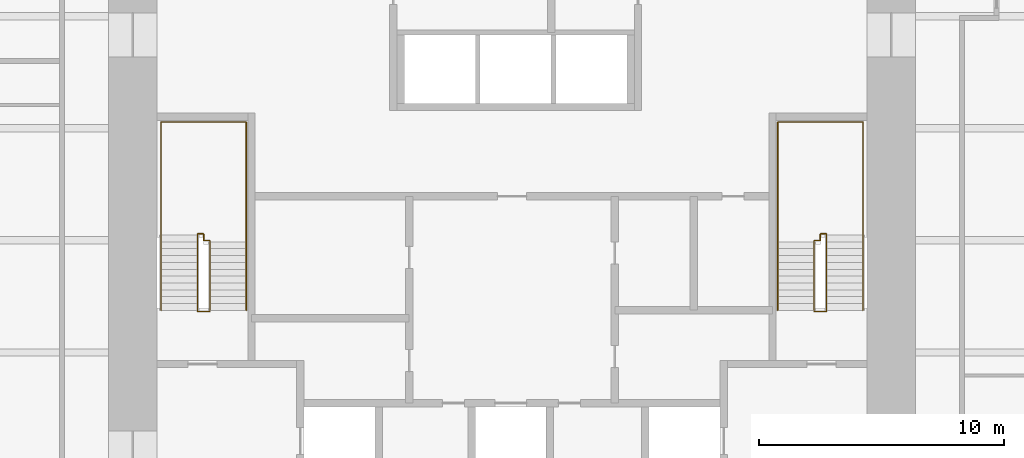
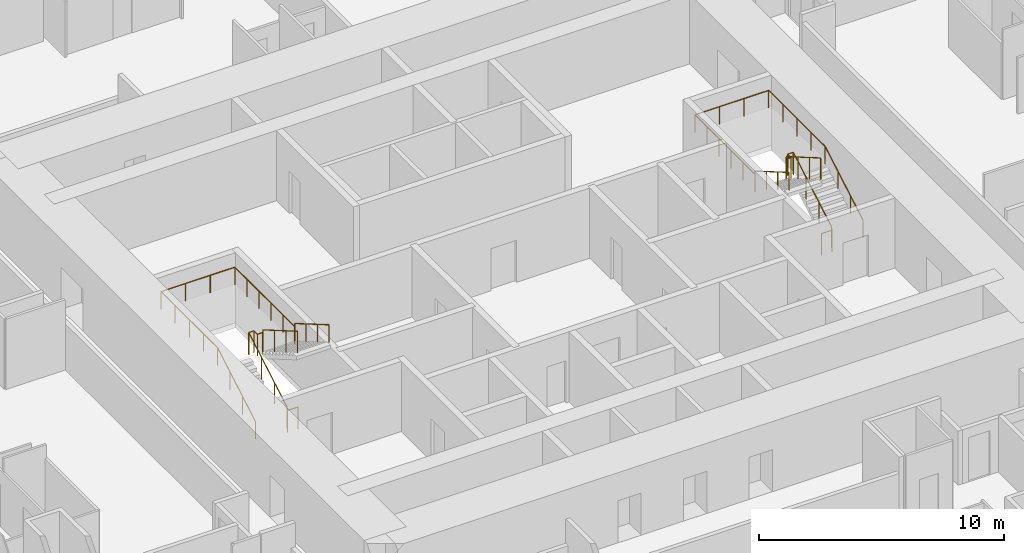
# One storey, part 13 of 13: 4 railings.
"""IFC4 building model written with IfcOpenShell, lengths in metres."""

import ifcopenshell
import ifcopenshell.guid

model = None  # the IFC model being written
_history = None  # IfcOwnerHistory: only IFC2X3 demands one
_inside = {}  # id of a spatial element -> (the spatial element, [elements in it])
_under = {}  # id of a project, library or spatial element -> (it, [spatial elements below it])
_declared = {}  # id of a project -> (the project, [libraries it declares])
_typed = {}  # id of a type object -> (the type object, [elements of that type])
_made_of = {}  # id of a material, layer set ... -> (it, [elements and type objects made of it])


def new_model(schema):
    """Start an empty IFC model of exactly this schema.

    Asked for "IFC4X3", IfcOpenShell would pick the latest addendum, in which some entities
    have other attributes; the version numbers below select the first issue.
    IFC2X3 requires an IfcOwnerHistory on every rooted entity: one is made here for all.
    """
    global model, _history
    if schema == "IFC4X3":
        model = ifcopenshell.file(schema_version=(4, 3, 0, 0))
    else:
        model = ifcopenshell.file(schema=schema)
    _inside.clear()
    _under.clear()
    _declared.clear()
    _typed.clear()
    _made_of.clear()
    _history = None
    if model.schema == "IFC2X3":
        org = make("IfcOrganization", Name="unknown")
        user = make(
            "IfcPersonAndOrganization",
            ThePerson=make("IfcPerson", FamilyName="unknown"),
            TheOrganization=org,
        )
        app = make(
            "IfcApplication",
            ApplicationDeveloper=org,
            Version="unknown",
            ApplicationFullName="unknown",
            ApplicationIdentifier="unknown",
        )
        _history = make(
            "IfcOwnerHistory",
            OwningUser=user,
            OwningApplication=app,
            ChangeAction="ADDED",
            CreationDate=0,
        )
    return model


def make(cls, **values):
    """One entity of the class cls with the attributes given. An attribute that is None is left unset."""
    return model.create_entity(
        cls, **{name: value for name, value in values.items() if value is not None}
    )


def rooted(cls, **values):
    """An entity with a GlobalId (a new one), such as an element, a storey or a relation."""
    return make(cls, GlobalId=ifcopenshell.guid.new(), OwnerHistory=_history, **values)


def si_unit(unit_type, name, prefix=None):
    """IfcSIUnit, for example si_unit("LENGTHUNIT", "METRE", prefix="MILLI")."""
    return make("IfcSIUnit", UnitType=unit_type, Prefix=prefix, Name=name)


def assignment(units):
    """IfcUnitAssignment: the units of a project."""
    return None if units is None else make("IfcUnitAssignment", Units=units)


def point(xyz):
    """IfcCartesianPoint."""
    return None if xyz is None else make("IfcCartesianPoint", Coordinates=xyz)


def direction(xyz):
    """IfcDirection."""
    return None if xyz is None else make("IfcDirection", DirectionRatios=xyz)


def frame(location, z_axis=None, x_axis=None):
    """IfcAxis2Placement3D, a coordinate frame: its origin and axes. An axis left out is left unset."""
    return make(
        "IfcAxis2Placement3D",
        Location=point(location),
        Axis=direction(z_axis),
        RefDirection=direction(x_axis),
    )


def frame_2d(location, x_axis=None):
    """IfcAxis2Placement2D, a coordinate frame in the plane: its origin and x axis."""
    return make(
        "IfcAxis2Placement2D", Location=point(location), RefDirection=direction(x_axis)
    )


def origin():
    """The frame at (0, 0, 0) with its axes left unset."""
    return frame((0.0, 0.0, 0.0))


def origin_2d():
    """The frame at (0, 0) in the plane with its x axis left unset."""
    return frame_2d((0.0, 0.0))


def place(relative_to, where):
    """IfcLocalPlacement: puts the frame where relative to a parent placement (None: the world)."""
    return make(
        "IfcLocalPlacement", PlacementRelTo=relative_to, RelativePlacement=where
    )


def context(
    kind, dimensions, precision=None, world=None, true_north=None, identifier=None
):
    """IfcGeometricRepresentationContext, for example the 3D "Model" context."""
    return make(
        "IfcGeometricRepresentationContext",
        ContextIdentifier=identifier,
        ContextType=kind,
        CoordinateSpaceDimension=dimensions,
        Precision=precision,
        WorldCoordinateSystem=world,
        TrueNorth=true_north,
    )


def subcontext(parent, identifier, kind, view, scale=None):
    """IfcGeometricRepresentationSubContext, for example "Body" below "Model"."""
    return make(
        "IfcGeometricRepresentationSubContext",
        ContextIdentifier=identifier,
        ContextType=kind,
        ParentContext=parent,
        TargetScale=scale,
        TargetView=view,
    )


def project(units=None, contexts=None):
    """IfcProject with its units and contexts."""
    return rooted(
        "IfcProject",
        Name="project",
        RepresentationContexts=contexts,
        UnitsInContext=assignment(units),
    )


def spatial(cls, under=None, at=None, **own):
    """A site, building, storey or space (cls), placed at a placement, below another one or the project."""
    s = rooted(cls, ObjectPlacement=at, **own)
    if under is not None:
        _under.setdefault(under.id(), (under, []))[1].append(s)
    return s


def profile(cls, at=None, kind="AREA", **sizes):
    """A parametric profile (cls). Its sizes go by their IFC names, for example OverallWidth=200.0."""
    return make(cls, ProfileType=kind, Position=at, **sizes)


def circle(**sizes):
    """IfcCircleProfileDef."""
    return profile("IfcCircleProfileDef", **sizes)


def extrude(swept, where, along, depth):
    """IfcExtrudedAreaSolid: the profile swept, set in the frame where, extruded along a direction by depth."""
    return make(
        "IfcExtrudedAreaSolid",
        SweptArea=swept,
        Position=where,
        ExtrudedDirection=direction(along),
        Depth=depth,
    )


def shape(context_of_items, identifier, shape_type, items):
    """IfcShapeRepresentation: the items that make up one representation, for example the "Body"."""
    return make(
        "IfcShapeRepresentation",
        ContextOfItems=context_of_items,
        RepresentationIdentifier=identifier,
        RepresentationType=shape_type,
        Items=items,
    )


def material(Name=None, Category=None):
    """IfcMaterial."""
    return make("IfcMaterial", Name=Name, Category=Category)


def made_of(thing, what):
    """Note that an element or type object is made of a material, layer set ...; save() writes the relation."""
    if what is not None:
        _made_of.setdefault(what.id(), (what, []))[1].append(thing)
    return thing


def type_object(cls, material=None, **own):
    """A type object (cls), such as IfcWallType, which elements share."""
    return made_of(rooted(cls, **own), material)


def element(
    cls,
    number,
    at=None,
    inside=None,
    cuts=None,
    type_object=None,
    material=None,
    context=None,
    identifier="Body",
    shape_type=None,
    held_by="IfcProductDefinitionShape",
    body=None,
    shapes=None,
    **own,
):
    """One element of the class cls, such as IfcWall. Its Tag is "e" and its number.

    at: its placement. inside: the storey or other place that contains it. cuts: it is an
    opening in that element (IfcRelVoidsElement). A single representation is given by context,
    identifier, shape_type and body (its items); several are given by shapes. held_by: the class
    of the entity that holds the representations. save() writes the other relations.
    """
    e = rooted(cls, Tag="e%d" % number, ObjectPlacement=at, **own)
    if body is not None:
        shapes = [shape(context, identifier, shape_type, body)]
    if shapes is not None:
        e.Representation = make(held_by, Representations=shapes)
    if inside is not None:
        _inside.setdefault(inside.id(), (inside, []))[1].append(e)
    if cuts is not None:
        rooted(
            "IfcRelVoidsElement", RelatingBuildingElement=cuts, RelatedOpeningElement=e
        )
    if type_object is not None:
        _typed.setdefault(type_object.id(), (type_object, []))[1].append(e)
    return made_of(e, material)


def aggregate(whole, parts):
    """IfcRelAggregates: a whole, such as a stair, and the parts it consists of."""
    return rooted("IfcRelAggregates", RelatingObject=whole, RelatedObjects=parts)


def save(model, path):
    """Write the relations noted so far, then the file.

    IfcRelAggregates (storeys below a building ...), IfcRelContainedInSpatialStructure (elements
    in a storey), IfcRelDefinesByType, IfcRelAssociatesMaterial and IfcRelDeclares: one each for
    every whole, place, type object, material and project.
    """
    for whole, parts in _under.values():
        aggregate(whole, parts)
    for where, things in _inside.values():
        rooted(
            "IfcRelContainedInSpatialStructure",
            RelatedElements=things,
            RelatingStructure=where,
        )
    for kind, things in _typed.values():
        rooted("IfcRelDefinesByType", RelatedObjects=things, RelatingType=kind)
    for what, things in _made_of.values():
        rooted("IfcRelAssociatesMaterial", RelatedObjects=things, RelatingMaterial=what)
    for by, libraries in _declared.values():
        rooted("IfcRelDeclares", RelatingContext=by, RelatedDefinitions=libraries)
    model.write(path)


model = new_model("IFC4")

# Units and contexts
model_context = context("Model", 3, precision=1e-05, world=origin(), true_north=direction((0.0, 1.0)))
body_context = subcontext(model_context, "Body", "Model", "MODEL_VIEW")
ifc_project = project(units=[si_unit("LENGTHUNIT", "METRE"), si_unit("AREAUNIT", "SQUARE_METRE"), si_unit("VOLUMEUNIT", "CUBIC_METRE"), si_unit("PLANEANGLEUNIT", "RADIAN"), si_unit("MASSUNIT", "GRAM", prefix="KILO")], contexts=[model_context])

# Site, building, storey
site_placement = place(None, origin())
site = spatial("IfcSite", under=ifc_project, at=site_placement, CompositionType="ELEMENT")
building_placement = place(site_placement, origin())
building = spatial("IfcBuilding", under=site, at=building_placement, Name="Khuree Lantern Residences", CompositionType="ELEMENT")
storey_placement = place(building_placement, frame((0.0, 0.0, 111.0)))
storey = spatial("IfcBuildingStorey", under=building, at=storey_placement, Name="L27", CompositionType="ELEMENT", Elevation=111.0)

# Railings
ifc_material = material(Name="Steel S355", Category="steel")
railing_type_1 = type_object("IfcRailingType", Name="STAIR GUARD G1 1100", PredefinedType="GUARDRAIL", material=ifc_material)
railing_1_placement = place(storey_placement, frame((-12.35009765625, -2.909912109375, 0.0)))
element("IfcRailing", 1, at=railing_1_placement, inside=storey, type_object=railing_type_1, Name="Stair ST1 guard", PredefinedType="GUARDRAIL", context=body_context, shape_type="SweptSolid", body=[
    extrude(circle(Radius=0.02392578125, at=origin_2d()), frame((0.0, 0.0, 1.076171875), z_axis=(-1.0, 0.0, 0.0), x_axis=(0.0, -1.0, 0.0)), (0.0, 0.0, 1.0), 0.5),
    extrude(circle(Radius=0.02392578125, at=origin_2d()), frame((-0.5, 0.0, 1.076171875), z_axis=(0.0, 0.292073035251, 0.95639601739), x_axis=(-1.0, 0.0, 0.0)), (0.0, 0.0, 1.0), 0.17041015625),
    extrude(circle(Radius=0.02392578125, at=origin_2d()), frame((-0.5, 0.0498046875, 1.2392578125), z_axis=(0.0, 0.864176135923, 0.503189433615), x_axis=(-1.0, 0.0, 0.0)), (0.0, 0.0, 1.0), 3.564208984375),
    extrude(circle(Radius=0.02392578125, at=origin_2d()), frame((-0.5, 3.1298828125, 3.03271484375), z_axis=(0.0, 1.0, 0.0), x_axis=(-1.0, 0.0, 0.0)), (0.0, 0.0, 1.0), 0.050048828125),
    extrude(circle(Radius=0.02392578125, at=origin_2d()), frame((-0.5, 3.179931640625, 3.03271484375), z_axis=(1.0, 0.0, 0.0), x_axis=(0.0, 1.0, 0.0)), (0.0, 0.0, 1.0), 0.25),
    extrude(circle(Radius=0.02392578125, at=origin_2d()), frame((-0.25, 3.179931640625, 3.03271484375), z_axis=(0.0, -1.0, 0.0), x_axis=(1.0, 0.0, 0.0)), (0.0, 0.0, 1.0), 0.280029296875),
    extrude(circle(Radius=0.02392578125, at=origin_2d()), frame((-0.25, 2.89990234375, 3.03271484375), z_axis=(1.0, 0.0, 0.0), x_axis=(0.0, 1.0, 0.0)), (0.0, 0.0, 1.0), 0.25),
    extrude(circle(Radius=0.02392578125, at=origin_2d()), frame((0.0, 2.89990234375, 3.03271484375), z_axis=(0.0, -0.293381807449, 0.955995353053), x_axis=(1.0, 0.0, 0.0)), (0.0, 0.0, 1.0), 0.170654296875),
    extrude(circle(Radius=0.02392578125, at=origin_2d()), frame((0.0, 2.849853515625, 3.19580078125), z_axis=(0.0, -0.864180358799, 0.503182181189), x_axis=(1.0, 0.0, 0.0)), (0.0, 0.0, 1.0), 3.240234375),
    extrude(circle(Radius=0.02099609375, at=origin_2d()), origin(), (0.0, 0.0, 1.0), 1.052001953125),
    extrude(circle(Radius=0.02099609375, at=origin_2d()), frame((-0.5, 0.0, 0.0)), (0.0, 0.0, 1.0), 1.052001953125),
    extrude(circle(Radius=0.02099609375, at=origin_2d()), frame((-0.5, 0.0498046875, 0.1630859375)), (0.0, 0.0, 1.0), 1.052001953125),
    extrude(circle(Radius=0.02099609375, at=origin_2d()), frame((-0.5, 1.076416015625, 0.760986328125)), (0.0, 0.0, 1.0), 1.052001953125),
    extrude(circle(Radius=0.02099609375, at=origin_2d()), frame((-0.5, 2.103271484375, 1.358642578125)), (0.0, 0.0, 1.0), 1.052001953125),
    extrude(circle(Radius=0.02099609375, at=origin_2d()), frame((-0.5, 3.1298828125, 1.95654296875)), (0.0, 0.0, 1.0), 1.052001953125),
    extrude(circle(Radius=0.02099609375, at=origin_2d()), frame((-0.5, 3.179931640625, 1.95654296875)), (0.0, 0.0, 1.0), 1.052001953125),
    extrude(circle(Radius=0.02099609375, at=origin_2d()), frame((-0.25, 3.179931640625, 1.95654296875)), (0.0, 0.0, 1.0), 1.052001953125),
    extrude(circle(Radius=0.02099609375, at=origin_2d()), frame((-0.25, 2.89990234375, 1.95654296875)), (0.0, 0.0, 1.0), 1.052001953125),
    extrude(circle(Radius=0.02099609375, at=origin_2d()), frame((0.0, 2.89990234375, 1.95654296875)), (0.0, 0.0, 1.0), 1.052001953125),
    extrude(circle(Radius=0.02099609375, at=origin_2d()), frame((0.0, 2.849853515625, 2.11962890625)), (0.0, 0.0, 1.0), 1.052001953125),
    extrude(circle(Radius=0.02099609375, at=origin_2d()), frame((0.0, 1.91650390625, 2.6630859375)), (0.0, 0.0, 1.0), 1.052001953125),
    extrude(circle(Radius=0.02099609375, at=origin_2d()), frame((0.0, 0.983154296875, 3.20654296875)), (0.0, 0.0, 1.0), 1.052001953125),
    extrude(circle(Radius=0.02099609375, at=origin_2d()), frame((0.0, 0.0498046875, 3.75)), (0.0, 0.0, 1.0), 1.052001953125),
])
railing_2_placement = place(storey_placement, frame((12.35009765625, -2.909912109375, 0.0)))
element("IfcRailing", 2, at=railing_2_placement, inside=storey, type_object=railing_type_1, Name="Stair ST2 guard", PredefinedType="GUARDRAIL", context=body_context, shape_type="SweptSolid", body=[
    extrude(circle(Radius=0.02392578125, at=origin_2d()), frame((0.0, 0.0, 1.076171875), z_axis=(1.0, 0.0, 0.0), x_axis=(0.0, 1.0, 0.0)), (0.0, 0.0, 1.0), 0.5),
    extrude(circle(Radius=0.02392578125, at=origin_2d()), frame((0.5, 0.0, 1.076171875), z_axis=(0.0, 0.292073035251, 0.95639601739), x_axis=(-1.0, 0.0, 0.0)), (0.0, 0.0, 1.0), 0.17041015625),
    extrude(circle(Radius=0.02392578125, at=origin_2d()), frame((0.5, 0.0498046875, 1.2392578125), z_axis=(0.0, 0.864176135923, 0.503189433615), x_axis=(-1.0, 0.0, 0.0)), (0.0, 0.0, 1.0), 3.564208984375),
    extrude(circle(Radius=0.02392578125, at=origin_2d()), frame((0.5, 3.1298828125, 3.03271484375), z_axis=(0.0, 1.0, 0.0), x_axis=(-1.0, 0.0, 0.0)), (0.0, 0.0, 1.0), 0.050048828125),
    extrude(circle(Radius=0.02392578125, at=origin_2d()), frame((0.5, 3.179931640625, 3.03271484375), z_axis=(-1.0, 0.0, 0.0), x_axis=(0.0, -1.0, 0.0)), (0.0, 0.0, 1.0), 0.25),
    extrude(circle(Radius=0.02392578125, at=origin_2d()), frame((0.25, 3.179931640625, 3.03271484375), z_axis=(0.0, -1.0, 0.0), x_axis=(1.0, 0.0, 0.0)), (0.0, 0.0, 1.0), 0.280029296875),
    extrude(circle(Radius=0.02392578125, at=origin_2d()), frame((0.25, 2.89990234375, 3.03271484375), z_axis=(-1.0, 0.0, 0.0), x_axis=(0.0, -1.0, 0.0)), (0.0, 0.0, 1.0), 0.25),
    extrude(circle(Radius=0.02392578125, at=origin_2d()), frame((0.0, 2.89990234375, 3.03271484375), z_axis=(0.0, -0.293381807449, 0.955995353053), x_axis=(1.0, 0.0, 0.0)), (0.0, 0.0, 1.0), 0.170654296875),
    extrude(circle(Radius=0.02392578125, at=origin_2d()), frame((0.0, 2.849853515625, 3.19580078125), z_axis=(0.0, -0.864180358799, 0.503182181189), x_axis=(1.0, 0.0, 0.0)), (0.0, 0.0, 1.0), 3.240234375),
    extrude(circle(Radius=0.02099609375, at=origin_2d()), origin(), (0.0, 0.0, 1.0), 1.052001953125),
    extrude(circle(Radius=0.02099609375, at=origin_2d()), frame((0.5, 0.0, 0.0)), (0.0, 0.0, 1.0), 1.052001953125),
    extrude(circle(Radius=0.02099609375, at=origin_2d()), frame((0.5, 0.0498046875, 0.1630859375)), (0.0, 0.0, 1.0), 1.052001953125),
    extrude(circle(Radius=0.02099609375, at=origin_2d()), frame((0.5, 1.076416015625, 0.760986328125)), (0.0, 0.0, 1.0), 1.052001953125),
    extrude(circle(Radius=0.02099609375, at=origin_2d()), frame((0.5, 2.103271484375, 1.358642578125)), (0.0, 0.0, 1.0), 1.052001953125),
    extrude(circle(Radius=0.02099609375, at=origin_2d()), frame((0.5, 3.1298828125, 1.95654296875)), (0.0, 0.0, 1.0), 1.052001953125),
    extrude(circle(Radius=0.02099609375, at=origin_2d()), frame((0.5, 3.179931640625, 1.95654296875)), (0.0, 0.0, 1.0), 1.052001953125),
    extrude(circle(Radius=0.02099609375, at=origin_2d()), frame((0.25, 3.179931640625, 1.95654296875)), (0.0, 0.0, 1.0), 1.052001953125),
    extrude(circle(Radius=0.02099609375, at=origin_2d()), frame((0.25, 2.89990234375, 1.95654296875)), (0.0, 0.0, 1.0), 1.052001953125),
    extrude(circle(Radius=0.02099609375, at=origin_2d()), frame((0.0, 2.89990234375, 1.95654296875)), (0.0, 0.0, 1.0), 1.052001953125),
    extrude(circle(Radius=0.02099609375, at=origin_2d()), frame((0.0, 2.849853515625, 2.11962890625)), (0.0, 0.0, 1.0), 1.052001953125),
    extrude(circle(Radius=0.02099609375, at=origin_2d()), frame((0.0, 1.91650390625, 2.6630859375)), (0.0, 0.0, 1.0), 1.052001953125),
    extrude(circle(Radius=0.02099609375, at=origin_2d()), frame((0.0, 0.983154296875, 3.20654296875)), (0.0, 0.0, 1.0), 1.052001953125),
    extrude(circle(Radius=0.02099609375, at=origin_2d()), frame((0.0, 0.0498046875, 3.75)), (0.0, 0.0, 1.0), 1.052001953125),
])
railing_type_2 = type_object("IfcRailingType", Name="STAIR HANDRAIL H1 900", PredefinedType="HANDRAIL", material=ifc_material)
railing_3_placement = place(storey_placement, frame((-14.340087890625, -2.860107421875, 0.1630859375)))
element("IfcRailing", 3, at=railing_3_placement, inside=storey, type_object=railing_type_2, Name="Stair ST1 handrail", PredefinedType="HANDRAIL", context=body_context, shape_type="SweptSolid", body=[
    extrude(circle(Radius=0.02392578125, at=origin_2d()), frame((0.0, 0.0, 0.8759765625), z_axis=(0.0, 0.864176135923, 0.503189433615), x_axis=(-1.0, 0.0, 0.0)), (0.0, 0.0, 1.0), 3.564208984375),
    extrude(circle(Radius=0.02392578125, at=origin_2d()), frame((0.0, 3.080078125, 2.66943359375), z_axis=(0.0, 1.0, 0.0), x_axis=(-1.0, 0.0, 0.0)), (0.0, 0.0, 1.0), 4.6201171875),
    extrude(circle(Radius=0.02392578125, at=origin_2d()), frame((0.0, 7.7001953125, 2.66943359375), z_axis=(1.0, 0.0, 0.0), x_axis=(0.0, 1.0, 0.0)), (0.0, 0.0, 1.0), 3.47998046875),
    extrude(circle(Radius=0.02392578125, at=origin_2d()), frame((3.47998046875, 7.7001953125, 2.66943359375), z_axis=(0.0, -1.0, 0.0), x_axis=(1.0, 0.0, 0.0)), (0.0, 0.0, 1.0), 4.900146484375),
    extrude(circle(Radius=0.02392578125, at=origin_2d()), frame((3.47998046875, 2.800048828125, 2.66943359375), z_axis=(0.0, 0.0, 1.0), x_axis=(1.0, 0.0, 0.0)), (0.0, 0.0, 1.0), 0.1630859375),
    extrude(circle(Radius=0.02392578125, at=origin_2d()), frame((3.47998046875, 2.800048828125, 2.83251953125), z_axis=(0.0, -0.864180358799, 0.503182181189), x_axis=(1.0, 0.0, 0.0)), (0.0, 0.0, 1.0), 3.240234375),
    extrude(circle(Radius=0.02099609375, at=origin_2d()), origin(), (0.0, 0.0, 1.0), 0.851806640625),
    extrude(circle(Radius=0.02099609375, at=origin_2d()), frame((0.0, 1.026611328125, 0.597900390625)), (0.0, 0.0, 1.0), 0.851806640625),
    extrude(circle(Radius=0.02099609375, at=origin_2d()), frame((0.0, 2.053466796875, 1.195556640625)), (0.0, 0.0, 1.0), 0.851806640625),
    extrude(circle(Radius=0.02099609375, at=origin_2d()), frame((0.0, 3.080078125, 1.79345703125)), (0.0, 0.0, 1.0), 0.851806640625),
    extrude(circle(Radius=0.02099609375, at=origin_2d()), frame((0.0, 4.235107421875, 1.79345703125)), (0.0, 0.0, 1.0), 0.851806640625),
    extrude(circle(Radius=0.02099609375, at=origin_2d()), frame((0.0, 5.39013671875, 1.79345703125)), (0.0, 0.0, 1.0), 0.851806640625),
    extrude(circle(Radius=0.02099609375, at=origin_2d()), frame((0.0, 6.545166015625, 1.79345703125)), (0.0, 0.0, 1.0), 0.851806640625),
    extrude(circle(Radius=0.02099609375, at=origin_2d()), frame((0.0, 7.7001953125, 1.79345703125)), (0.0, 0.0, 1.0), 0.851806640625),
    extrude(circle(Radius=0.02099609375, at=origin_2d()), frame((1.159912109375, 7.7001953125, 1.79345703125)), (0.0, 0.0, 1.0), 0.851806640625),
    extrude(circle(Radius=0.02099609375, at=origin_2d()), frame((2.320068359375, 7.7001953125, 1.79345703125)), (0.0, 0.0, 1.0), 0.851806640625),
    extrude(circle(Radius=0.02099609375, at=origin_2d()), frame((3.47998046875, 7.7001953125, 1.79345703125)), (0.0, 0.0, 1.0), 0.851806640625),
    extrude(circle(Radius=0.02099609375, at=origin_2d()), frame((3.47998046875, 6.72021484375, 1.79345703125)), (0.0, 0.0, 1.0), 0.851806640625),
    extrude(circle(Radius=0.02099609375, at=origin_2d()), frame((3.47998046875, 5.740234375, 1.79345703125)), (0.0, 0.0, 1.0), 0.851806640625),
    extrude(circle(Radius=0.02099609375, at=origin_2d()), frame((3.47998046875, 4.760009765625, 1.79345703125)), (0.0, 0.0, 1.0), 0.851806640625),
    extrude(circle(Radius=0.02099609375, at=origin_2d()), frame((3.47998046875, 3.780029296875, 1.79345703125)), (0.0, 0.0, 1.0), 0.851806640625),
    extrude(circle(Radius=0.02099609375, at=origin_2d()), frame((3.47998046875, 2.800048828125, 1.79345703125)), (0.0, 0.0, 1.0), 0.851806640625),
    extrude(circle(Radius=0.02099609375, at=origin_2d()), frame((3.47998046875, 2.800048828125, 1.95654296875)), (0.0, 0.0, 1.0), 0.851806640625),
    extrude(circle(Radius=0.02099609375, at=origin_2d()), frame((3.47998046875, 1.86669921875, 2.5)), (0.0, 0.0, 1.0), 0.851806640625),
    extrude(circle(Radius=0.02099609375, at=origin_2d()), frame((3.47998046875, 0.933349609375, 3.04345703125)), (0.0, 0.0, 1.0), 0.851806640625),
    extrude(circle(Radius=0.02099609375, at=origin_2d()), frame((3.47998046875, 0.0, 3.5869140625)), (0.0, 0.0, 1.0), 0.851806640625),
])
railing_4_placement = place(storey_placement, frame((14.340087890625, -2.860107421875, 0.1630859375)))
element("IfcRailing", 4, at=railing_4_placement, inside=storey, type_object=railing_type_2, Name="Stair ST2 handrail", PredefinedType="HANDRAIL", context=body_context, shape_type="SweptSolid", body=[
    extrude(circle(Radius=0.02392578125, at=origin_2d()), frame((0.0, 0.0, 0.8759765625), z_axis=(0.0, 0.864176135923, 0.503189433615), x_axis=(-1.0, 0.0, 0.0)), (0.0, 0.0, 1.0), 3.564208984375),
    extrude(circle(Radius=0.02392578125, at=origin_2d()), frame((0.0, 3.080078125, 2.66943359375), z_axis=(0.0, 1.0, 0.0), x_axis=(-1.0, 0.0, 0.0)), (0.0, 0.0, 1.0), 4.6201171875),
    extrude(circle(Radius=0.02392578125, at=origin_2d()), frame((0.0, 7.7001953125, 2.66943359375), z_axis=(-1.0, 0.0, 0.0), x_axis=(0.0, -1.0, 0.0)), (0.0, 0.0, 1.0), 3.47998046875),
    extrude(circle(Radius=0.02392578125, at=origin_2d()), frame((-3.47998046875, 7.7001953125, 2.66943359375), z_axis=(0.0, -1.0, 0.0), x_axis=(1.0, 0.0, 0.0)), (0.0, 0.0, 1.0), 4.900146484375),
    extrude(circle(Radius=0.02392578125, at=origin_2d()), frame((-3.47998046875, 2.800048828125, 2.66943359375), z_axis=(0.0, 0.0, 1.0), x_axis=(1.0, 0.0, 0.0)), (0.0, 0.0, 1.0), 0.1630859375),
    extrude(circle(Radius=0.02392578125, at=origin_2d()), frame((-3.47998046875, 2.800048828125, 2.83251953125), z_axis=(0.0, -0.864180358799, 0.503182181189), x_axis=(1.0, 0.0, 0.0)), (0.0, 0.0, 1.0), 3.240234375),
    extrude(circle(Radius=0.02099609375, at=origin_2d()), origin(), (0.0, 0.0, 1.0), 0.851806640625),
    extrude(circle(Radius=0.02099609375, at=origin_2d()), frame((0.0, 1.026611328125, 0.597900390625)), (0.0, 0.0, 1.0), 0.851806640625),
    extrude(circle(Radius=0.02099609375, at=origin_2d()), frame((0.0, 2.053466796875, 1.195556640625)), (0.0, 0.0, 1.0), 0.851806640625),
    extrude(circle(Radius=0.02099609375, at=origin_2d()), frame((0.0, 3.080078125, 1.79345703125)), (0.0, 0.0, 1.0), 0.851806640625),
    extrude(circle(Radius=0.02099609375, at=origin_2d()), frame((0.0, 4.235107421875, 1.79345703125)), (0.0, 0.0, 1.0), 0.851806640625),
    extrude(circle(Radius=0.02099609375, at=origin_2d()), frame((0.0, 5.39013671875, 1.79345703125)), (0.0, 0.0, 1.0), 0.851806640625),
    extrude(circle(Radius=0.02099609375, at=origin_2d()), frame((0.0, 6.545166015625, 1.79345703125)), (0.0, 0.0, 1.0), 0.851806640625),
    extrude(circle(Radius=0.02099609375, at=origin_2d()), frame((0.0, 7.7001953125, 1.79345703125)), (0.0, 0.0, 1.0), 0.851806640625),
    extrude(circle(Radius=0.02099609375, at=origin_2d()), frame((-1.159912109375, 7.7001953125, 1.79345703125)), (0.0, 0.0, 1.0), 0.851806640625),
    extrude(circle(Radius=0.02099609375, at=origin_2d()), frame((-2.320068359375, 7.7001953125, 1.79345703125)), (0.0, 0.0, 1.0), 0.851806640625),
    extrude(circle(Radius=0.02099609375, at=origin_2d()), frame((-3.47998046875, 7.7001953125, 1.79345703125)), (0.0, 0.0, 1.0), 0.851806640625),
    extrude(circle(Radius=0.02099609375, at=origin_2d()), frame((-3.47998046875, 6.72021484375, 1.79345703125)), (0.0, 0.0, 1.0), 0.851806640625),
    extrude(circle(Radius=0.02099609375, at=origin_2d()), frame((-3.47998046875, 5.740234375, 1.79345703125)), (0.0, 0.0, 1.0), 0.851806640625),
    extrude(circle(Radius=0.02099609375, at=origin_2d()), frame((-3.47998046875, 4.760009765625, 1.79345703125)), (0.0, 0.0, 1.0), 0.851806640625),
    extrude(circle(Radius=0.02099609375, at=origin_2d()), frame((-3.47998046875, 3.780029296875, 1.79345703125)), (0.0, 0.0, 1.0), 0.851806640625),
    extrude(circle(Radius=0.02099609375, at=origin_2d()), frame((-3.47998046875, 2.800048828125, 1.79345703125)), (0.0, 0.0, 1.0), 0.851806640625),
    extrude(circle(Radius=0.02099609375, at=origin_2d()), frame((-3.47998046875, 2.800048828125, 1.95654296875)), (0.0, 0.0, 1.0), 0.851806640625),
    extrude(circle(Radius=0.02099609375, at=origin_2d()), frame((-3.47998046875, 1.86669921875, 2.5)), (0.0, 0.0, 1.0), 0.851806640625),
    extrude(circle(Radius=0.02099609375, at=origin_2d()), frame((-3.47998046875, 0.933349609375, 3.04345703125)), (0.0, 0.0, 1.0), 0.851806640625),
    extrude(circle(Radius=0.02099609375, at=origin_2d()), frame((-3.47998046875, 0.0, 3.5869140625)), (0.0, 0.0, 1.0), 0.851806640625),
])

save(model, "model.ifc")
